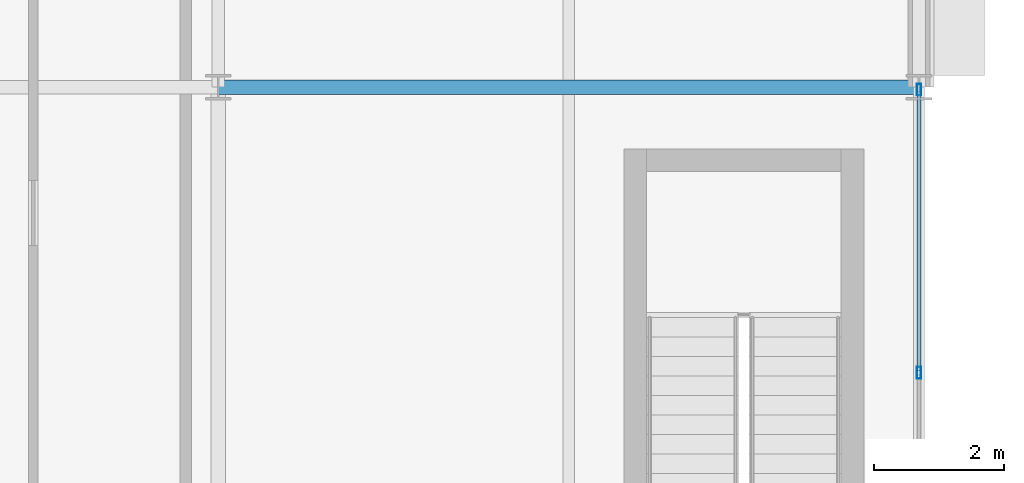
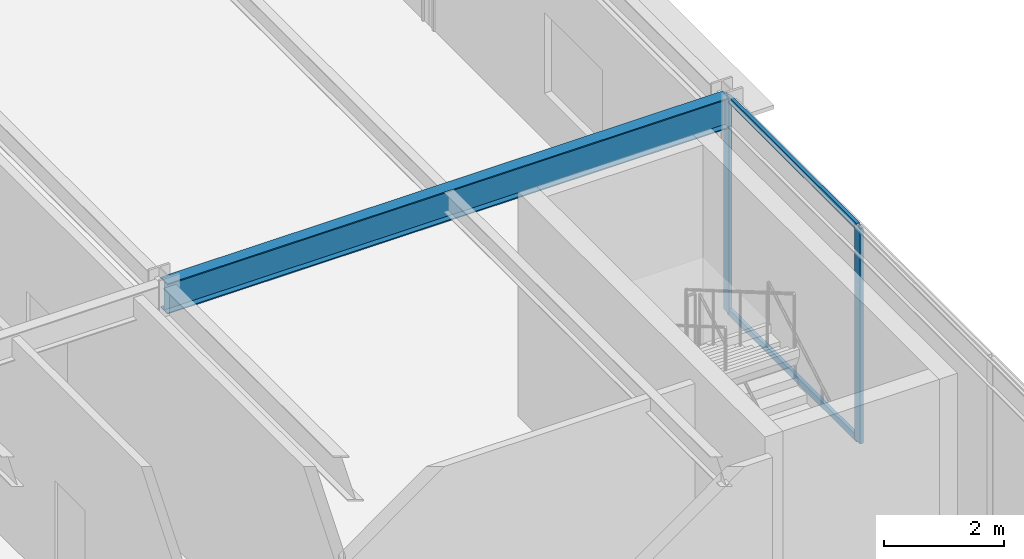
# One storey, part 107 of 157: 4 members, 1 beam, 1 element without a shape of its own.
"""IFC4 building model written with IfcOpenShell, lengths in metres."""

from ifc_helpers import new_model, si_unit, direction, frame, origin, origin_2d, place, context, subcontext, project, spatial, hollow_rectangle, i_section, extrude, material, material_profile, profile_set, type_object, element, aggregate, save


model = new_model("IFC4")

# Units and contexts
model_context = context("Model", 3, precision=1e-05, world=origin(), true_north=direction((0.0, 1.0)))
body_context = subcontext(model_context, "Body", "Model", "MODEL_VIEW")
ifc_project = project(units=[si_unit("LENGTHUNIT", "METRE"), si_unit("AREAUNIT", "SQUARE_METRE"), si_unit("VOLUMEUNIT", "CUBIC_METRE"), si_unit("PLANEANGLEUNIT", "RADIAN"), si_unit("MASSUNIT", "GRAM", prefix="KILO")], contexts=[model_context])

# Site, building, storey
site_placement = place(None, origin())
site = spatial("IfcSite", under=ifc_project, at=site_placement, CompositionType="ELEMENT")
building_placement = place(site_placement, origin())
building = spatial("IfcBuilding", under=site, at=building_placement, Name="Almandine Court Research Institute", CompositionType="ELEMENT")
storey_placement = place(building_placement, frame((0.0, 0.0, 5.25)))
storey = spatial("IfcBuildingStorey", under=building, at=storey_placement, Name="L01", CompositionType="ELEMENT", Elevation=5.25)

# Beam
ifc_material_1 = material(Name="Steel ASTM A992 Grade 50", Category="steel")
ifc_material_profile_1 = material_profile(ifc_material_1, i_section(OverallWidth=0.22998046875, OverallDepth=0.616943359375, WebThickness=0.012939453125, FlangeThickness=0.02197265625, at=origin_2d()), Name="W610x140")
ifc_profile_set_1 = profile_set([ifc_material_profile_1], Name="Steel ASTM A992 Grade 50")
beam_type = type_object("IfcBeamType", Name="Beam-G-02", PredefinedType="BEAM", material=ifc_profile_set_1)
beam_placement = place(storey_placement, frame((163.199951171875, 84.0, 4.06103515625), z_axis=(1.0, 0.0, 0.0), x_axis=(0.0, 1.0, 0.0)))
element("IfcBeam", 1, at=beam_placement, inside=storey, type_object=beam_type, Name="L01 V4 Primary X Girder", PredefinedType="BEAM", context=body_context, shape_type="SweptSolid", body=[
    extrude(i_section(OverallWidth=0.22998046875, OverallDepth=0.616943359375, WebThickness=0.012939453125, FlangeThickness=0.02197265625, at=origin_2d()), origin(), (0.0, 0.0, 1.0), 10.800048828125),
])

# Curtain wall, members
ifc_material_2 = material(Name="Unitised Curtain Wall Framing and Solar Glazing", Category="glass")
curtain_wall_type = type_object("IfcCurtainWallType", Name="CW-CWJ-15", PredefinedType="USERDEFINED", material=ifc_material_2)
curtain_wall_placement = place(storey_placement, origin())
curtain_wall = element("IfcCurtainWall", 2, at=curtain_wall_placement, inside=storey, type_object=curtain_wall_type, Name="L01 Wet Lab East Jali Curtain Wall 7", ObjectType="SOLAR JALI SCREEN", PredefinedType="USERDEFINED")
ifc_material_3 = material(Name="Anodised Aluminium AW-6063-T6", Category="aluminium")
ifc_material_profile_2 = material_profile(ifc_material_3, hollow_rectangle(XDim=0.06494140625, YDim=0.179931640625, WallThickness=0.00390625, at=origin_2d()), Name="ALU RHS 65x180x4")
ifc_profile_set_2 = profile_set([ifc_material_profile_2], Name="Anodised Aluminium AW-6063-T6")
member_type_1 = type_object("IfcMemberType", Name="CWMul-65x180", PredefinedType="MULLION", material=ifc_profile_set_2)
member_1_placement = place(storey_placement, frame((174.0, 83.96337890625, 0.0), z_axis=(0.0, 0.0, 1.0), x_axis=(1.0, 0.0, 0.0)))
member_1 = element("IfcMember", 3, at=member_1_placement, type_object=member_type_1, Name="CWJ-15 mullion 1", PredefinedType="MULLION", context=body_context, shape_type="SweptSolid", body=[
    extrude(hollow_rectangle(XDim=0.06494140625, YDim=0.179931640625, WallThickness=0.00390625, at=origin_2d()), origin(), (0.0, 0.0, 1.0), 4.3701171875),
])
member_2_placement = place(storey_placement, frame((174.0, 79.5986328125, 0.0), z_axis=(0.0, 0.0, 1.0), x_axis=(1.0, 0.0, 0.0)))
member_2 = element("IfcMember", 4, at=member_2_placement, type_object=member_type_1, Name="CWJ-15 mullion 2", PredefinedType="MULLION", context=body_context, shape_type="SweptSolid", body=[
    extrude(hollow_rectangle(XDim=0.06494140625, YDim=0.179931640625, WallThickness=0.00390625, at=origin_2d()), origin(), (0.0, 0.0, 1.0), 4.3701171875),
])
ifc_material_profile_3 = material_profile(ifc_material_3, hollow_rectangle(XDim=0.06494140625, YDim=0.1298828125, WallThickness=0.00390625, at=origin_2d()), Name="ALU RHS 65x130x4")
ifc_profile_set_3 = profile_set([ifc_material_profile_3], Name="Anodised Aluminium AW-6063-T6")
member_type_2 = type_object("IfcMemberType", Name="CWTrn-65x130", PredefinedType="NOTDEFINED", material=ifc_profile_set_3)
member_3_placement = place(storey_placement, frame((174.0, 83.930908203125, 0.032470703125), z_axis=(0.0, -1.0, 0.0), x_axis=(1.0, 0.0, 0.0)))
member_3 = element("IfcMember", 5, at=member_3_placement, type_object=member_type_2, Name="CWJ-15 transom 1.1", ObjectType="TRANSOM", PredefinedType="USERDEFINED", context=body_context, shape_type="SweptSolid", body=[
    extrude(hollow_rectangle(XDim=0.06494140625, YDim=0.1298828125, WallThickness=0.00390625, at=origin_2d()), origin(), (0.0, 0.0, 1.0), 4.2998046875),
])
member_4_placement = place(storey_placement, frame((174.0, 83.930908203125, 4.33740234375), z_axis=(0.0, -1.0, 0.0), x_axis=(1.0, 0.0, 0.0)))
member_4 = element("IfcMember", 6, at=member_4_placement, type_object=member_type_2, Name="CWJ-15 transom 1.2", ObjectType="TRANSOM", PredefinedType="USERDEFINED", context=body_context, shape_type="SweptSolid", body=[
    extrude(hollow_rectangle(XDim=0.06494140625, YDim=0.1298828125, WallThickness=0.00390625, at=origin_2d()), origin(), (0.0, 0.0, 1.0), 4.2998046875),
])
aggregate(curtain_wall, [member_1, member_2, member_3, member_4])

save(model, "model.ifc")
